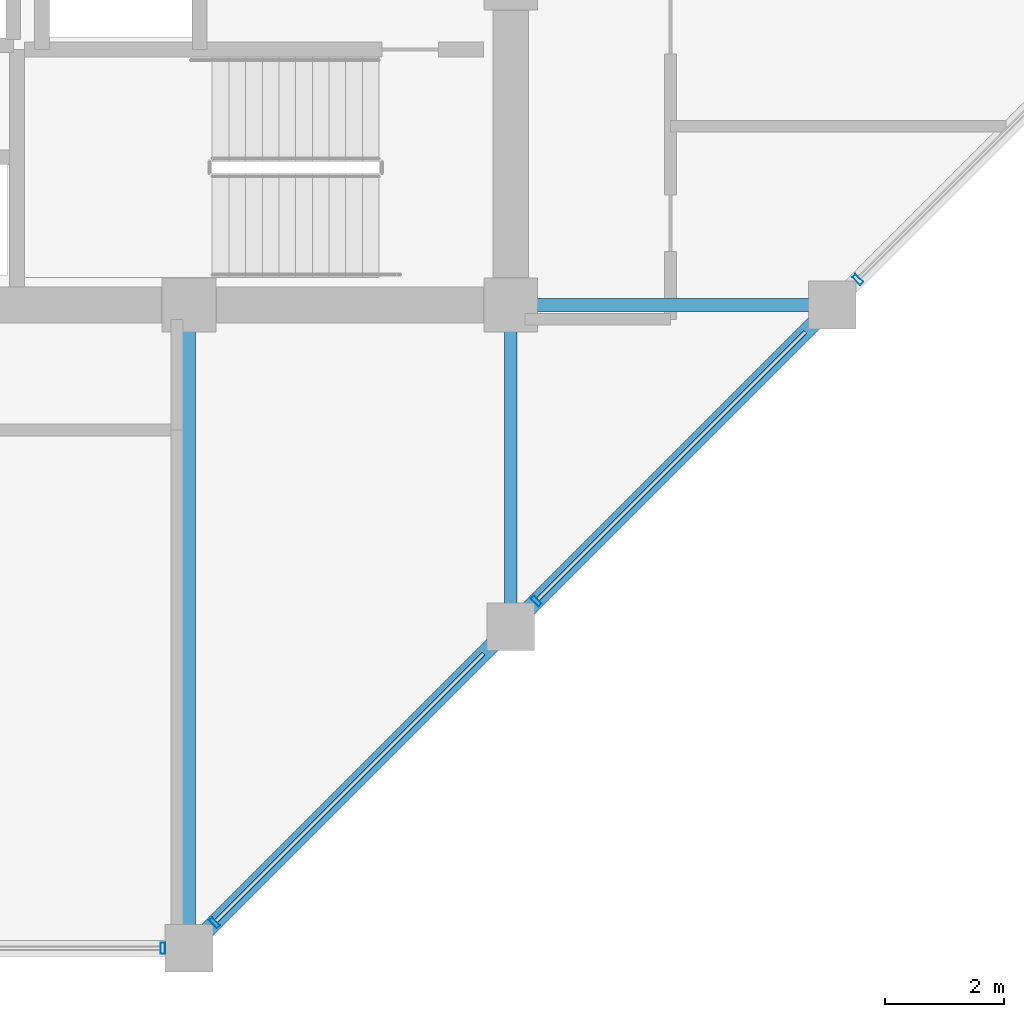
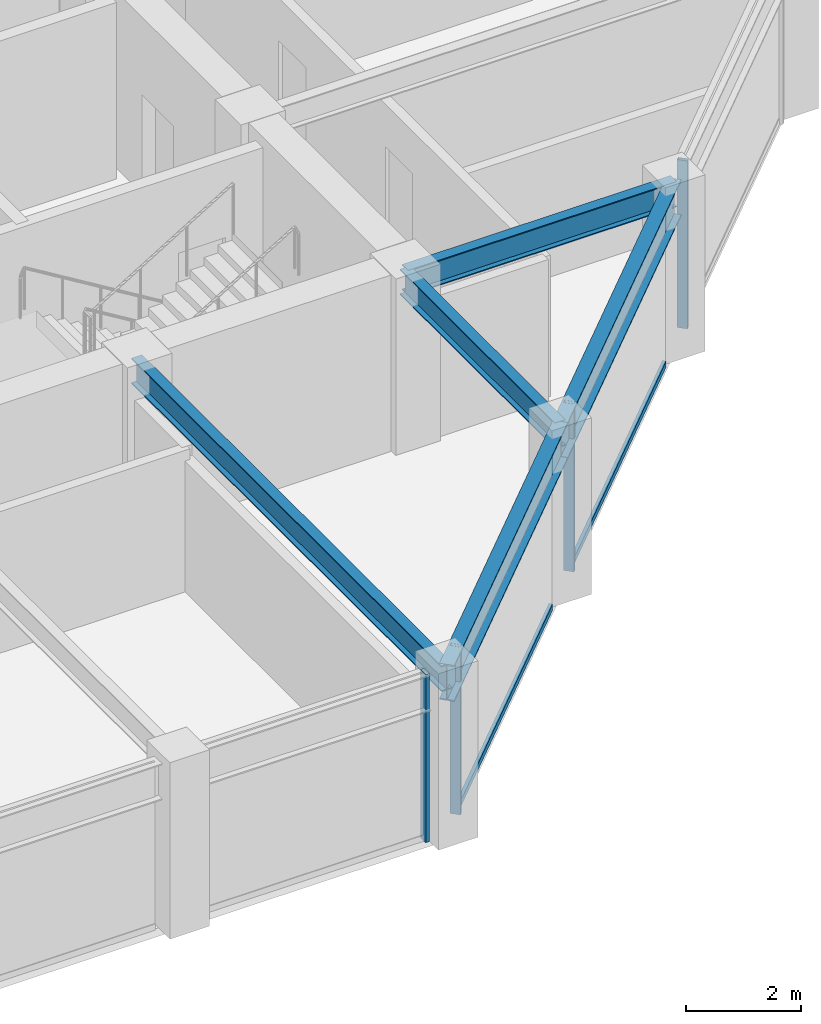
# One storey, part 9 of 28: 6 members, 5 beams, 2 elements without a shape of their own.
"""IFC4 building model written with IfcOpenShell, lengths in metres."""

from ifc_helpers import new_model, si_unit, direction, frame, origin, origin_2d, place, context, subcontext, project, spatial, hollow_rectangle, i_section, extrude, material, layer, layer_set, material_profile, profile_set, type_object, element, aggregate, save


model = new_model("IFC4")

# Units and contexts
model_context = context("Model", 3, precision=1e-05, world=origin(), true_north=direction((0.0, 1.0)))
body_context = subcontext(model_context, "Body", "Model", "MODEL_VIEW")
ifc_project = project(units=[si_unit("LENGTHUNIT", "METRE"), si_unit("AREAUNIT", "SQUARE_METRE"), si_unit("VOLUMEUNIT", "CUBIC_METRE"), si_unit("PLANEANGLEUNIT", "RADIAN"), si_unit("MASSUNIT", "GRAM", prefix="KILO")], contexts=[model_context])

# Site, building, storey
site_placement = place(None, origin())
site = spatial("IfcSite", under=ifc_project, at=site_placement, CompositionType="ELEMENT")
building_placement = place(site_placement, origin())
building = spatial("IfcBuilding", under=site, at=building_placement, Name="Surkhivell Harbour Commons", CompositionType="ELEMENT")
storey_placement = place(building_placement, frame((0.0, 0.0, 238.5)))
storey = spatial("IfcBuildingStorey", under=building, at=storey_placement, Name="L62", CompositionType="ELEMENT", Elevation=238.5)

# Beams
ifc_material_1 = material(Name="Steel S355", Category="steel")
ifc_material_profile_1 = material_profile(ifc_material_1, i_section(OverallWidth=0.2119140625, OverallDepth=0.5439453125, WebThickness=0.0126953125, FlangeThickness=0.021240234375, at=origin_2d()), Name="UB533x210x122")
ifc_profile_set_1 = profile_set([ifc_material_profile_1], Name="Steel S355")
beam_type_1 = type_object("IfcBeamType", Name="BM-GRD-533A", PredefinedType="BEAM", material=ifc_profile_set_1)
beam_1_placement = place(storey_placement, frame((5.39990234375, -21.60009765625, 3.298095703125), z_axis=(0.0, 1.0, 0.0), x_axis=(-1.0, 0.0, 0.0)))
element("IfcBeam", 1, at=beam_1_placement, inside=storey, type_object=beam_type_1, Name="L62 Floor Girder (5.4,-21.6)", PredefinedType="BEAM", context=body_context, shape_type="SweptSolid", body=[
    extrude(i_section(OverallWidth=0.2119140625, OverallDepth=0.5439453125, WebThickness=0.0126953125, FlangeThickness=0.021240234375, at=origin_2d()), origin(), (0.0, 0.0, 1.0), 10.800048828125),
])
for number, where, z_axis, x_axis, name in (
    (2, (10.800048828125, -16.199951171875, 3.298095703125), (0.0, 1.0, 0.0), (-1.0, 0.0, 0.0), "L62 Floor Girder (10.8,-16.2)"),
    (3, (10.800048828125, -10.800048828125, 3.298095703125), (1.0, 0.0, 0.0), (0.0, 1.0, 0.0), "L62 Floor Girder (10.8,-10.8)"),
):
    element("IfcBeam", number, at=place(storey_placement, frame(where, z_axis=z_axis, x_axis=x_axis)), inside=storey, type_object=beam_type_1, Name=name, PredefinedType="BEAM", context=body_context, shape_type="SweptSolid", body=[
        extrude(i_section(OverallWidth=0.2119140625, OverallDepth=0.5439453125, WebThickness=0.0126953125, FlangeThickness=0.021240234375, at=origin_2d()), origin(), (0.0, 0.0, 1.0), 5.39990234375),
    ])
ifc_material_profile_2 = material_profile(ifc_material_1, i_section(OverallWidth=0.26806640625, OverallDepth=0.77001953125, WebThickness=0.015625, FlangeThickness=0.025390625, at=origin_2d()), Name="UB762x267x197")
ifc_profile_set_2 = profile_set([ifc_material_profile_2], Name="Steel S355")
beam_type_2 = type_object("IfcBeamType", Name="BM-SPN-762", PredefinedType="SPANDREL", material=ifc_profile_set_2)
beam_2_placement = place(storey_placement, frame((5.39990234375, -21.60009765625, 3.18505859375), z_axis=(0.707106781187, 0.707106781187, 0.0), x_axis=(-0.707106781187, 0.707106781187, 0.0)))
element("IfcBeam", 4, at=beam_2_placement, inside=storey, type_object=beam_type_2, Name="L62 Tube Spandrel (5.4,-21.6)", PredefinedType="SPANDREL", context=body_context, shape_type="SweptSolid", body=[
    extrude(i_section(OverallWidth=0.26806640625, OverallDepth=0.77001953125, WebThickness=0.015625, FlangeThickness=0.025390625, at=origin_2d()), origin(), (0.0, 0.0, 1.0), 7.636962890625),
])
beam_3_placement = place(storey_placement, frame((10.800048828125, -16.199951171875, 3.18505859375), z_axis=(0.707106781187, 0.707106781187, 0.0), x_axis=(-0.707106781187, 0.707106781187, 0.0)))
element("IfcBeam", 5, at=beam_3_placement, inside=storey, type_object=beam_type_2, Name="L62 Tube Spandrel (10.8,-16.2)", PredefinedType="SPANDREL", context=body_context, shape_type="SweptSolid", body=[
    extrude(i_section(OverallWidth=0.26806640625, OverallDepth=0.77001953125, WebThickness=0.015625, FlangeThickness=0.025390625, at=origin_2d()), origin(), (0.0, 0.0, 1.0), 7.63671875),
])

# Curtain wall, member
ifc_material_2 = material(Name="Anodised pale-metal aluminium and insulated glazing", Category="aluminium")
ifc_layer = layer(ifc_material_2, 0.18994140625)
ifc_layer_set = layer_set([ifc_layer], Name="Anodised pale-metal aluminium and insulated glazing")
curtain_wall_type = type_object("IfcCurtainWallType", Name="CW-SYS-Z3", PredefinedType="NOTDEFINED", material=ifc_layer_set)
curtain_wall_1_placement = place(storey_placement, origin())
curtain_wall_1 = element("IfcCurtainWall", 6, at=curtain_wall_1_placement, inside=storey, type_object=curtain_wall_type, Name="L62 Curtain Wall CW-L62-E00S2", PredefinedType="NOTDEFINED")
ifc_material_3 = material(Name="Anodised pale-metal aluminium alloy 6063-T6", Category="aluminium")
ifc_material_profile_3 = material_profile(ifc_material_3, hollow_rectangle(XDim=0.074951171875, YDim=0.18994140625, WallThickness=0.00390625, at=origin_2d()), Name="ALU-MULL-75x190")
ifc_profile_set_3 = profile_set([ifc_material_profile_3], Name="Anodised pale-metal aluminium alloy 6063-T6")
member_type_1 = type_object("IfcMemberType", Name="CWM-190", PredefinedType="MULLION", material=ifc_profile_set_3)
member_1_placement = place(storey_placement, frame((4.96044921875, -21.60009765625, 0.0), z_axis=(0.0, 0.0, 1.0), x_axis=(1.0, 0.0, 0.0)))
member_1 = element("IfcMember", 7, at=member_1_placement, type_object=member_type_1, Name="CW-Z3 mullion 3", PredefinedType="MULLION", context=body_context, shape_type="SweptSolid", body=[
    extrude(hollow_rectangle(XDim=0.074951171875, YDim=0.18994140625, WallThickness=0.00390625, at=origin_2d()), origin(), (0.0, 0.0, 1.0), 3.570068359375),
])
aggregate(curtain_wall_1, [member_1])

# Curtain wall, members
curtain_wall_2_placement = place(storey_placement, origin())
curtain_wall_2 = element("IfcCurtainWall", 8, at=curtain_wall_2_placement, inside=storey, type_object=curtain_wall_type, Name="L62 Curtain Wall CW-L62-E01", PredefinedType="NOTDEFINED")
member_2_placement = place(storey_placement, frame((5.828125, -21.171875, 0.0), z_axis=(0.0, 0.0, 1.0), x_axis=(0.707106781187, 0.707106781187, 0.0)))
member_2 = element("IfcMember", 9, at=member_2_placement, type_object=member_type_1, Name="CW-Z3 mullion 1", PredefinedType="MULLION", context=body_context, shape_type="SweptSolid", body=[
    extrude(hollow_rectangle(XDim=0.074951171875, YDim=0.18994140625, WallThickness=0.00390625, at=origin_2d()), origin(), (0.0, 0.0, 1.0), 3.570068359375),
])
member_3_placement = place(storey_placement, frame((11.228271484375, -15.771728515625, 0.0), z_axis=(0.0, 0.0, 1.0), x_axis=(0.707106781187, 0.707106781187, 0.0)))
member_3 = element("IfcMember", 10, at=member_3_placement, type_object=member_type_1, Name="CW-Z3 mullion 2", PredefinedType="MULLION", context=body_context, shape_type="SweptSolid", body=[
    extrude(hollow_rectangle(XDim=0.074951171875, YDim=0.18994140625, WallThickness=0.00390625, at=origin_2d()), origin(), (0.0, 0.0, 1.0), 3.570068359375),
])
member_4_placement = place(storey_placement, frame((16.628173828125, -10.371826171875, 0.0), z_axis=(0.0, 0.0, 1.0), x_axis=(0.707106781187, 0.707106781187, 0.0)))
member_4 = element("IfcMember", 11, at=member_4_placement, type_object=member_type_1, Name="CW-Z3 mullion 3", PredefinedType="MULLION", context=body_context, shape_type="SweptSolid", body=[
    extrude(hollow_rectangle(XDim=0.074951171875, YDim=0.18994140625, WallThickness=0.00390625, at=origin_2d()), origin(), (0.0, 0.0, 1.0), 3.570068359375),
])
ifc_material_4 = material(Name="Champagne anodised aluminium alloy 6063-T6", Category="aluminium")
ifc_material_profile_4 = material_profile(ifc_material_4, hollow_rectangle(XDim=0.070068359375, YDim=0.1298828125, WallThickness=0.00341796875, at=origin_2d()), Name="ALU-TRAN-70x130")
ifc_profile_set_4 = profile_set([ifc_material_profile_4], Name="Champagne anodised aluminium alloy 6063-T6")
member_type_2 = type_object("IfcMemberType", Name="CWT-130", PredefinedType="USERDEFINED", material=ifc_profile_set_4)
member_5_placement = place(storey_placement, frame((5.854736328125, -21.145263671875, 0.06494140625), z_axis=(0.707106781187, 0.707106781187, 0.0), x_axis=(-0.707106781187, 0.707106781187, 0.0)))
member_5 = element("IfcMember", 12, at=member_5_placement, type_object=member_type_2, Name="CW-Z3 transom 1.1", ObjectType="TRANSOM", PredefinedType="USERDEFINED", context=body_context, shape_type="SweptSolid", body=[
    extrude(hollow_rectangle(XDim=0.070068359375, YDim=0.1298828125, WallThickness=0.00341796875, at=origin_2d()), origin(), (0.0, 0.0, 1.0), 6.3505859375),
])
member_6_placement = place(storey_placement, frame((11.254638671875, -15.745361328125, 0.06494140625), z_axis=(0.707106781187, 0.707106781187, 0.0), x_axis=(-0.707106781187, 0.707106781187, 0.0)))
member_6 = element("IfcMember", 13, at=member_6_placement, type_object=member_type_2, Name="CW-Z3 transom 2.1", ObjectType="TRANSOM", PredefinedType="USERDEFINED", context=body_context, shape_type="SweptSolid", body=[
    extrude(hollow_rectangle(XDim=0.070068359375, YDim=0.1298828125, WallThickness=0.00341796875, at=origin_2d()), origin(), (0.0, 0.0, 1.0), 6.350830078125),
])
aggregate(curtain_wall_2, [member_2, member_5, member_3, member_6, member_4])

save(model, "model.ifc")
